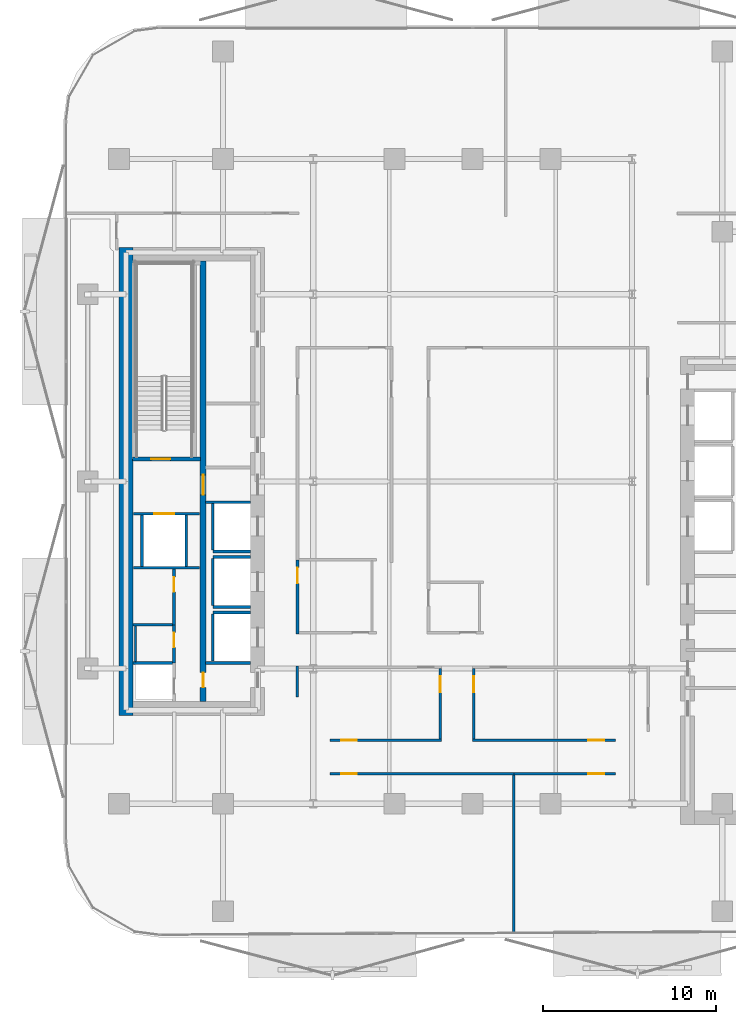
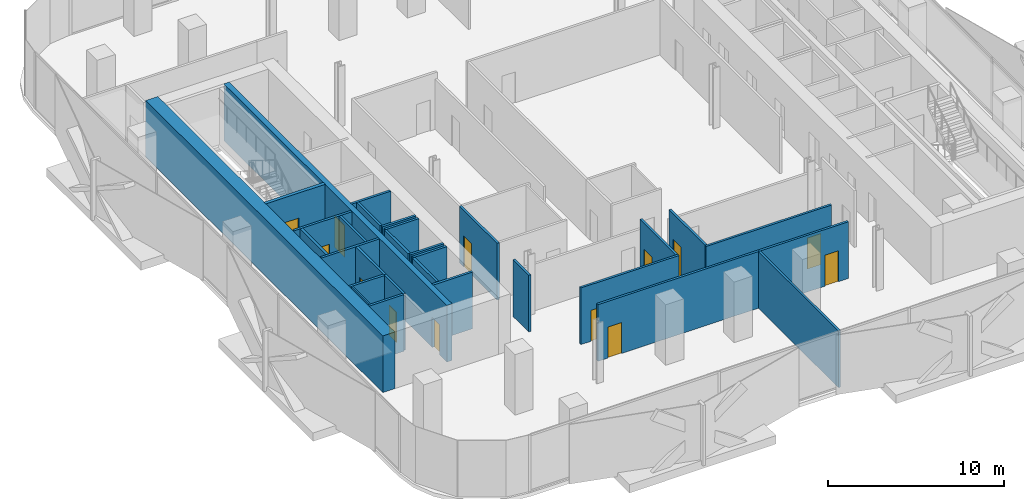
# One storey, part 3 of 16: 30 walls, 13 doors, 13 openings.
"""IFC4 building model written with IfcOpenShell, lengths in metres."""

from ifc_helpers import new_model, si_unit, direction, frame, frame_2d, origin, place, context, subcontext, project, spatial, rectangle, extrude, material, layer, layer_set, type_object, element, fill, save


model = new_model("IFC4")

# Units and contexts
model_context = context("Model", 3, precision=1e-05, world=origin(), true_north=direction((0.0, 1.0)))
body_context = subcontext(model_context, "Body", "Model", "MODEL_VIEW")
ifc_project = project(units=[si_unit("LENGTHUNIT", "METRE"), si_unit("AREAUNIT", "SQUARE_METRE"), si_unit("VOLUMEUNIT", "CUBIC_METRE"), si_unit("PLANEANGLEUNIT", "RADIAN"), si_unit("MASSUNIT", "GRAM", prefix="KILO")], contexts=[model_context])

# Site, building, storey
site_placement = place(None, origin())
site = spatial("IfcSite", under=ifc_project, at=site_placement, CompositionType="ELEMENT")
building_placement = place(site_placement, origin())
building = spatial("IfcBuilding", under=site, at=building_placement, Name="Khairoan Windgate Tower", CompositionType="ELEMENT")
storey_placement = place(building_placement, frame((0.0, 0.0, 97.39990234375)))
storey = spatial("IfcBuildingStorey", under=building, at=storey_placement, Name="L22", CompositionType="ELEMENT", Elevation=97.39990234375)

# Walls
ifc_material_1 = material(Name="Moisture-Resistant Gypsum Partition", Category="gypsum")
ifc_layer_1 = layer(ifc_material_1, 0.10009765625, Name="Moisture-Resistant Gypsum Partition")
ifc_layer_set_1 = layer_set([ifc_layer_1], Name="Moisture-Resistant Gypsum Partition")
wall_type_1 = type_object("IfcWallType", Name="Bathroom Wet-Area Partition Wall", PredefinedType="PARTITIONING", material=ifc_layer_set_1)
wall_1_placement = place(storey_placement, frame((-19.449951171875, -10.389892578125, 0.0), z_axis=(0.0, 0.0, 1.0), x_axis=(0.0, 1.0, 0.0)))
element("IfcWall", 1, at=wall_1_placement, inside=storey, type_object=wall_type_1, Name="L22 Wet Room Side Wall 046", PredefinedType="PARTITIONING", context=body_context, shape_type="SweptSolid", body=[
    extrude(rectangle(XDim=2.039794921875, YDim=0.10009765625, at=frame_2d((1.02001953125, 0.0))), origin(), (0.0, 0.0, 1.0), 3.940185546875),
])
ifc_material_2 = material(Name="Concrete C40/50", Category="concrete")
ifc_layer_2 = layer(ifc_material_2, 0.159912109375, Name="Concrete C40/50")
ifc_layer_set_2 = layer_set([ifc_layer_2], Name="Concrete C40/50")
wall_type_2 = type_object("IfcWallType", Name="Core and Hoistway Enclosure Wall", PredefinedType="STANDARD", material=ifc_layer_set_2)
wall_2_placement = place(storey_placement, frame((-14.989990234375, -4.0400390625, 0.0), z_axis=(0.0, 0.0, 1.0), x_axis=(1.0, 0.0, 0.0)))
element("IfcWall", 2, at=wall_2_placement, inside=storey, type_object=wall_type_2, Name="L22 Lift PL4 Hoistway Divider S", PredefinedType="STANDARD", context=body_context, shape_type="SweptSolid", body=[
    extrude(rectangle(XDim=2.18994140625, YDim=0.159912109375, at=frame_2d((1.094970703125, 0.0))), origin(), (0.0, 0.0, 1.0), 3.940185546875),
])
wall_3_placement = place(storey_placement, frame((-14.989990234375, -3.949951171875, 0.0), z_axis=(0.0, 0.0, 1.0), x_axis=(0.0, 1.0, 0.0)))
element("IfcWall", 3, at=wall_3_placement, inside=storey, type_object=wall_type_2, Name="L22 Lift PL4 Hoistway Back Wall", PredefinedType="STANDARD", context=body_context, shape_type="SweptSolid", body=[
    extrude(rectangle(XDim=2.699951171875, YDim=0.159912109375, at=frame_2d((1.35009765625, 0.0))), origin(), (0.0, 0.0, 1.0), 3.940185546875),
])
for number, where, z_axis, x_axis, name in (
    (4, (-14.989990234375, -7.239990234375, 0.0), (0.0, 0.0, 1.0), (1.0, 0.0, 0.0), "L22 Lift PL5 Hoistway Divider S"),
    (5, (-14.989990234375, -4.360107421875, 0.0), (0.0, 0.0, 1.0), (1.0, 0.0, 0.0), "L22 Lift PL5 Hoistway Divider N"),
):
    element("IfcWall", number, at=place(storey_placement, frame(where, z_axis=z_axis, x_axis=x_axis)), inside=storey, type_object=wall_type_2, Name=name, PredefinedType="STANDARD", context=body_context, shape_type="SweptSolid", body=[
        extrude(rectangle(XDim=2.18994140625, YDim=0.159912109375, at=frame_2d((1.094970703125, 0.0))), origin(), (0.0, 0.0, 1.0), 3.940185546875),
    ])
wall_4_placement = place(storey_placement, frame((-14.989990234375, -7.14990234375, 0.0), z_axis=(0.0, 0.0, 1.0), x_axis=(0.0, 1.0, 0.0)))
element("IfcWall", 6, at=wall_4_placement, inside=storey, type_object=wall_type_2, Name="L22 Lift PL5 Hoistway Back Wall", PredefinedType="STANDARD", context=body_context, shape_type="SweptSolid", body=[
    extrude(rectangle(XDim=2.699951171875, YDim=0.159912109375, at=frame_2d((1.35009765625, 0.0))), origin(), (0.0, 0.0, 1.0), 3.940185546875),
])
wall_5_placement = place(storey_placement, frame((-14.989990234375, -7.56005859375, 0.0), z_axis=(0.0, 0.0, 1.0), x_axis=(1.0, 0.0, 0.0)))
element("IfcWall", 7, at=wall_5_placement, inside=storey, type_object=wall_type_2, Name="L22 Lift PL6 Hoistway Divider N", PredefinedType="STANDARD", context=body_context, shape_type="SweptSolid", body=[
    extrude(rectangle(XDim=2.18994140625, YDim=0.159912109375, at=frame_2d((1.094970703125, 0.0))), origin(), (0.0, 0.0, 1.0), 3.940185546875),
])
wall_6_placement = place(storey_placement, frame((-14.989990234375, -10.35009765625, 0.0), z_axis=(0.0, 0.0, 1.0), x_axis=(0.0, 1.0, 0.0)))
element("IfcWall", 8, at=wall_6_placement, inside=storey, type_object=wall_type_2, Name="L22 Lift PL6 Hoistway Back Wall", PredefinedType="STANDARD", context=body_context, shape_type="SweptSolid", body=[
    extrude(rectangle(XDim=2.7001953125, YDim=0.159912109375, at=frame_2d((1.35009765625, 0.0))), origin(), (0.0, 0.0, 1.0), 3.940185546875),
])

# Wall, opening, door
wall_7_placement = place(storey_placement, frame((-19.550048828125, -1.860107421875, 0.0), z_axis=(0.0, 0.0, 1.0), x_axis=(1.0, 0.0, 0.0)))
wall_7 = element("IfcWall", 9, at=wall_7_placement, inside=storey, type_object=wall_type_2, Name="L22 Core Shaft Wall SW-FL2-L22", PredefinedType="STANDARD", context=body_context, shape_type="SweptSolid", body=[
    extrude(rectangle(XDim=3.800048828125, YDim=0.159912109375, at=frame_2d((1.89990234375, 0.0))), origin(), (0.0, 0.0, 1.0), 3.940185546875),
])
opening_1_placement = place(wall_7_placement, frame((1.179931640625, 0.0, 0.0)))
opening_1 = element("IfcOpeningElement", 10, at=opening_1_placement, cuts=wall_7, Name="Opening LD-FL", PredefinedType="OPENING", context=body_context, shape_type="SweptSolid", body=[
    extrude(rectangle(XDim=1.14990234375, YDim=2.199951171875, at=frame_2d((0.574951171875, 1.10009765625))), frame((0.0, 0.08984375, 0.0), z_axis=(0.0, -1.0, 0.0), x_axis=(1.0, 0.0, 0.0)), (0.0, 0.0, 1.0), 0.179931640625),
])
ifc_material_3 = material(Name="Steel S355", Category="steel")
door_type_1 = type_object("IfcDoorType", Name="Firefighting Lift Sliding Landing Door LD-FL 1150x2200", OperationType="DOUBLE_DOOR_SLIDING", PredefinedType="DOOR", material=ifc_material_3)
door_1_placement = place(opening_1_placement, origin())
door_1 = element("IfcDoor", 11, at=door_1_placement, inside=storey, type_object=door_type_1, Name="L22 Firefighting Lift FL2 Landing Door", OperationType="DOUBLE_DOOR_SLIDING", OverallHeight=2.199951171875, OverallWidth=1.14990234375, PredefinedType="DOOR", context=body_context, shape_type="SweptSolid", body=[
    extrude(rectangle(XDim=1.14990234375, YDim=2.199951171875, at=frame_2d((0.574951171875, 1.10009765625))), frame((0.0, 0.02490234375, 0.0), z_axis=(0.0, -1.0, 0.0), x_axis=(1.0, 0.0, 0.0)), (0.0, 0.0, 1.0), 0.050048828125),
])
fill(opening_1, door_1)

# Walls
wall_8_placement = place(storey_placement, frame((-19.550048828125, -4.97998046875, 0.0), z_axis=(0.0, 0.0, 1.0), x_axis=(1.0, 0.0, 0.0)))
element("IfcWall", 12, at=wall_8_placement, inside=storey, type_object=wall_type_2, Name="L22 Core Shaft Wall SW-FL2B-L22", PredefinedType="STANDARD", context=body_context, shape_type="SweptSolid", body=[
    extrude(rectangle(XDim=3.800048828125, YDim=0.159912109375, at=frame_2d((1.89990234375, 0.0))), origin(), (0.0, 0.0, 1.0), 3.940185546875),
])
for number, where, z_axis, x_axis, name in (
    (13, (-19.080078125, -4.89990234375, 0.0), (0.0, 0.0, 1.0), (0.0, 1.0, 0.0), "L22 Core Shaft Wall SW-FL2W-L22"),
    (14, (-16.52001953125, -4.89990234375, 0.0), (0.0, 0.0, 1.0), (0.0, 1.0, 0.0), "L22 Core Shaft Wall SW-FL2E-L22"),
):
    element("IfcWall", number, at=place(storey_placement, frame(where, z_axis=z_axis, x_axis=x_axis)), inside=storey, type_object=wall_type_2, Name=name, PredefinedType="STANDARD", context=body_context, shape_type="SweptSolid", body=[
        extrude(rectangle(XDim=2.9599609375, YDim=0.159912109375, at=frame_2d((1.47998046875, 0.0))), origin(), (0.0, 0.0, 1.0), 3.940185546875),
    ])
for number, where, z_axis, x_axis, name in (
    (15, (-15.39990234375, -1.199951171875, 0.0), (0.0, 0.0, 1.0), (1.0, 0.0, 0.0), "L22 Core Shaft Wall SW-WV2-L22"),
    (16, (-15.39990234375, -10.47998046875, 0.0), (0.0, 0.0, 1.0), (1.0, 0.0, 0.0), "L22 Core Shaft Wall SW-WSV-L22"),
):
    element("IfcWall", number, at=place(storey_placement, frame(where, z_axis=z_axis, x_axis=x_axis)), inside=storey, type_object=wall_type_2, Name=name, PredefinedType="STANDARD", context=body_context, shape_type="SweptSolid", body=[
        extrude(rectangle(XDim=2.599853515625, YDim=0.159912109375, at=frame_2d((1.2998046875, 0.0))), origin(), (0.0, 0.0, 1.0), 3.940185546875),
    ])
ifc_material_4 = material(Name="Acoustic Fire-Rated Gypsum Partition", Category="gypsum")
ifc_layer_3 = layer(ifc_material_4, 0.139892578125, Name="Acoustic Fire-Rated Gypsum Partition")
ifc_layer_set_3 = layer_set([ifc_layer_3], Name="Acoustic Fire-Rated Gypsum Partition")
wall_type_3 = type_object("IfcWallType", Name="Inter-Tenancy Compartment Wall", PredefinedType="PARTITIONING", material=ifc_layer_set_3)
wall_9_placement = place(storey_placement, frame((2.3798828125, -26.054931640625, 0.0), z_axis=(0.0, 0.0, 1.0), x_axis=(0.0, 1.0, 0.0)))
element("IfcWall", 17, at=wall_9_placement, inside=storey, type_object=wall_type_3, Name="L22 Interior Partition 043", PredefinedType="PARTITIONING", context=body_context, shape_type="SweptSolid", body=[
    extrude(rectangle(XDim=9.119873046875, YDim=0.139892578125, at=frame_2d((4.56005859375, 0.0))), origin(), (0.0, 0.0, 1.0), 3.940185546875),
])

# Wall, opening, door
ifc_material_5 = material(Name="Concrete C40/50", Category="concrete")
ifc_layer_4 = layer(ifc_material_5, 0.159912109375, Name="Concrete C40/50")
ifc_layer_set_4 = layer_set([ifc_layer_4], Name="Concrete C40/50")
wall_type_4 = type_object("IfcWallType", Name="Plant and Refuge Compartment Wall", PredefinedType="PARTITIONING", material=ifc_layer_set_4)
wall_10_placement = place(storey_placement, frame((-17.22998046875, -10.469970703125, 0.0), z_axis=(0.0, 0.0, 1.0), x_axis=(0.0, 1.0, 0.0)))
wall_10 = element("IfcWall", 18, at=wall_10_placement, inside=storey, type_object=wall_type_4, Name="L22 Interior Partition 002", PredefinedType="PARTITIONING", context=body_context, shape_type="SweptSolid", body=[
    extrude(rectangle(XDim=2.199951171875, YDim=0.159912109375, at=frame_2d((1.10009765625, 0.0))), origin(), (0.0, 0.0, 1.0), 3.940185546875),
])
opening_2_placement = place(wall_10_placement, frame((0.889892578125, 0.0, 0.0)))
opening_2 = element("IfcOpeningElement", 19, at=opening_2_placement, cuts=wall_10, Name="Opening FD-SRV", PredefinedType="OPENING", context=body_context, shape_type="SweptSolid", body=[
    extrude(rectangle(XDim=0.85009765625, YDim=2.10009765625, at=frame_2d((0.425048828125, 1.050048828125))), frame((0.0, 0.08984375, 0.0), z_axis=(0.0, -1.0, 0.0), x_axis=(1.0, 0.0, 0.0)), (0.0, 0.0, 1.0), 0.179931640625),
])
ifc_material_6 = material(Name="Steel S355", Category="steel")
door_type_2 = type_object("IfcDoorType", Name="Core Service and Riser Fire Door FD-SRV 850x2100", OperationType="NOTDEFINED", PredefinedType="DOOR", material=ifc_material_6)
door_2_placement = place(opening_2_placement, origin())
door_2 = element("IfcDoor", 20, at=door_2_placement, inside=storey, type_object=door_type_2, Name="L22 L22-04-L22-06 Door", OperationType="SINGLE_SWING_LEFT", OverallHeight=2.10009765625, OverallWidth=0.85009765625, PredefinedType="DOOR", context=body_context, shape_type="SweptSolid", body=[
    extrude(rectangle(XDim=0.85009765625, YDim=2.10009765625, at=frame_2d((0.425048828125, 1.050048828125))), frame((0.0, 0.02490234375, 0.0), z_axis=(0.0, -1.0, 0.0), x_axis=(1.0, 0.0, 0.0)), (0.0, 0.0, 1.0), 0.050048828125),
])
fill(opening_2, door_2)

wall_11_placement = place(storey_placement, frame((-17.22998046875, -8.27001953125, 0.0), z_axis=(0.0, 0.0, 1.0), x_axis=(0.0, 1.0, 0.0)))
wall_11 = element("IfcWall", 21, at=wall_11_placement, inside=storey, type_object=wall_type_4, Name="L22 Interior Partition 003", PredefinedType="PARTITIONING", context=body_context, shape_type="SweptSolid", body=[
    extrude(rectangle(XDim=3.2099609375, YDim=0.159912109375, at=frame_2d((1.60498046875, 0.0))), origin(), (0.0, 0.0, 1.0), 3.940185546875),
])
opening_3_placement = place(wall_11_placement, frame((1.89990234375, 0.0, 0.0)))
opening_3 = element("IfcOpeningElement", 22, at=opening_3_placement, cuts=wall_11, Name="Opening FD-SRV", PredefinedType="OPENING", context=body_context, shape_type="SweptSolid", body=[
    extrude(rectangle(XDim=0.85009765625, YDim=2.10009765625, at=frame_2d((0.425048828125, 1.050048828125))), frame((0.0, 0.08984375, 0.0), z_axis=(0.0, -1.0, 0.0), x_axis=(1.0, 0.0, 0.0)), (0.0, 0.0, 1.0), 0.179931640625),
])
door_3_placement = place(opening_3_placement, origin())
door_3 = element("IfcDoor", 23, at=door_3_placement, inside=storey, type_object=door_type_2, Name="L22 L22-04-L22-07 Door", OperationType="SINGLE_SWING_RIGHT", OverallHeight=2.10009765625, OverallWidth=0.85009765625, PredefinedType="DOOR", context=body_context, shape_type="SweptSolid", body=[
    extrude(rectangle(XDim=0.85009765625, YDim=2.10009765625, at=frame_2d((0.425048828125, 1.050048828125))), frame((0.0, 0.02490234375, 0.0), z_axis=(0.0, -1.0, 0.0), x_axis=(1.0, 0.0, 0.0)), (0.0, 0.0, 1.0), 0.050048828125),
])
fill(opening_3, door_3)

# Walls
for number, where, z_axis, x_axis, name in (
    (24, (-19.60009765625, -10.469970703125, 0.0), (0.0, 0.0, 1.0), (1.0, 0.0, 0.0), "L22 Interior Partition 004"),
    (25, (-19.60009765625, -8.27001953125, 0.0), (0.0, 0.0, 1.0), (1.0, 0.0, 0.0), "L22 Interior Partition 005"),
):
    element("IfcWall", number, at=place(storey_placement, frame(where, z_axis=z_axis, x_axis=x_axis)), inside=storey, type_object=wall_type_4, Name=name, PredefinedType="PARTITIONING", context=body_context, shape_type="SweptSolid", body=[
        extrude(rectangle(XDim=2.2900390625, YDim=0.159912109375, at=frame_2d((1.14501953125, 0.0))), origin(), (0.0, 0.0, 1.0), 3.940185546875),
    ])

# Wall, opening, door
ifc_material_7 = material(Name="Acoustic Fire-Rated Gypsum Partition", Category="gypsum")
ifc_layer_5 = layer(ifc_material_7, 0.14990234375, Name="Acoustic Fire-Rated Gypsum Partition")
ifc_layer_set_5 = layer_set([ifc_layer_5], Name="Acoustic Fire-Rated Gypsum Partition")
wall_type_5 = type_object("IfcWallType", Name="Rated Corridor Partition Wall", PredefinedType="PARTITIONING", material=ifc_layer_set_5)
wall_12_placement = place(storey_placement, frame((-10.10009765625, -8.794921875, 0.0), z_axis=(0.0, 0.0, 1.0), x_axis=(0.0, 1.0, 0.0)))
wall_12 = element("IfcWall", 26, at=wall_12_placement, inside=storey, type_object=wall_type_5, Name="L22 Interior Partition 015", PredefinedType="PARTITIONING", context=body_context, shape_type="SweptSolid", body=[
    extrude(rectangle(XDim=4.27490234375, YDim=0.14990234375, at=frame_2d((2.137451171875, 0.0))), origin(), (0.0, 0.0, 1.0), 3.940185546875),
])
opening_4_placement = place(wall_12_placement, frame((2.9150390625, 0.0, 0.0)))
opening_4 = element("IfcOpeningElement", 27, at=opening_4_placement, cuts=wall_12, Name="Opening FD-ENT", PredefinedType="OPENING", context=body_context, shape_type="SweptSolid", body=[
    extrude(rectangle(XDim=0.89990234375, YDim=2.14990234375, at=frame_2d((0.449951171875, 1.074951171875))), frame((0.0, 0.0849609375, 0.0), z_axis=(0.0, -1.0, 0.0), x_axis=(1.0, 0.0, 0.0)), (0.0, 0.0, 1.0), 0.169921875),
])
ifc_material_8 = material(Name="Timber Fire-Rated Core", Category="wood")
door_type_3 = type_object("IfcDoorType", Name="Unit and Office Fire Entrance Door FD-ENT 900x2150", OperationType="NOTDEFINED", PredefinedType="DOOR", material=ifc_material_8)
door_4_placement = place(opening_4_placement, origin())
door_4 = element("IfcDoor", 28, at=door_4_placement, inside=storey, type_object=door_type_3, Name="L22 L22-30-L22-48 Door", OperationType="SINGLE_SWING_LEFT", OverallHeight=2.14990234375, OverallWidth=0.89990234375, PredefinedType="DOOR", context=body_context, shape_type="SweptSolid", body=[
    extrude(rectangle(XDim=0.89990234375, YDim=2.14990234375, at=frame_2d((0.449951171875, 1.074951171875))), frame((0.0, 0.02490234375, 0.0), z_axis=(0.0, -1.0, 0.0), x_axis=(1.0, 0.0, 0.0)), (0.0, 0.0, 1.0), 0.050048828125),
])
fill(opening_4, door_4)

# Wall
wall_13_placement = place(storey_placement, frame((-10.125, -12.43994140625, 0.0), z_axis=(0.0, 0.0, 1.0), x_axis=(0.0, 1.0, 0.0)))
element("IfcWall", 29, at=wall_13_placement, inside=storey, type_object=wall_type_5, Name="L22 Interior Partition 017", PredefinedType="PARTITIONING", context=body_context, shape_type="SweptSolid", body=[
    extrude(rectangle(XDim=1.800048828125, YDim=0.14990234375, at=frame_2d((0.89990234375, 0.0))), origin(), (0.0, 0.0, 1.0), 3.940185546875),
])

# Wall, opening, door
wall_14_placement = place(storey_placement, frame((-8.239990234375, -16.860107421875, 0.0), z_axis=(0.0, 0.0, 1.0), x_axis=(1.0, 0.0, 0.0)))
wall_14 = element("IfcWall", 30, at=wall_14_placement, inside=storey, type_object=wall_type_5, Name="L22 Interior Partition 033", PredefinedType="PARTITIONING", context=body_context, shape_type="SweptSolid", body=[
    extrude(rectangle(XDim=10.619873046875, YDim=0.14990234375, at=frame_2d((5.31005859375, 0.0))), origin(), (0.0, 0.0, 1.0), 3.940185546875),
])
opening_5_placement = place(wall_14_placement, frame((0.664794921875, 0.0, 0.0)))
opening_5 = element("IfcOpeningElement", 31, at=opening_5_placement, cuts=wall_14, Name="Opening FD-ENT", PredefinedType="OPENING", context=body_context, shape_type="SweptSolid", body=[
    extrude(rectangle(XDim=0.89990234375, YDim=2.14990234375, at=frame_2d((0.449951171875, 1.074951171875))), frame((0.0, 0.0849609375, 0.0), z_axis=(0.0, -1.0, 0.0), x_axis=(1.0, 0.0, 0.0)), (0.0, 0.0, 1.0), 0.169921875),
])
door_5_placement = place(opening_5_placement, origin())
door_5 = element("IfcDoor", 32, at=door_5_placement, inside=storey, type_object=door_type_3, Name="L22 L22-37-L22-44 Door", OperationType="SINGLE_SWING_LEFT", OverallHeight=2.14990234375, OverallWidth=0.89990234375, PredefinedType="DOOR", context=body_context, shape_type="SweptSolid", body=[
    extrude(rectangle(XDim=0.89990234375, YDim=2.14990234375, at=frame_2d((0.449951171875, 1.074951171875))), frame((0.0, 0.02490234375, 0.0), z_axis=(0.0, -1.0, 0.0), x_axis=(1.0, 0.0, 0.0)), (0.0, 0.0, 1.0), 0.050048828125),
])
fill(opening_5, door_5)

wall_15_placement = place(storey_placement, frame((2.3798828125, -16.860107421875, 0.0), z_axis=(0.0, 0.0, 1.0), x_axis=(1.0, 0.0, 0.0)))
wall_15 = element("IfcWall", 33, at=wall_15_placement, inside=storey, type_object=wall_type_5, Name="L22 Interior Partition 034", PredefinedType="PARTITIONING", context=body_context, shape_type="SweptSolid", body=[
    extrude(rectangle(XDim=5.860107421875, YDim=0.14990234375, at=frame_2d((2.93017578125, 0.0))), origin(), (0.0, 0.0, 1.0), 3.940185546875),
])
opening_6_placement = place(wall_15_placement, frame((4.298095703125, 0.0, 0.0)))
opening_6 = element("IfcOpeningElement", 34, at=opening_6_placement, cuts=wall_15, Name="Opening FD-ENT", PredefinedType="OPENING", context=body_context, shape_type="SweptSolid", body=[
    extrude(rectangle(XDim=0.89990234375, YDim=2.14990234375, at=frame_2d((0.449951171875, 1.074951171875))), frame((0.0, 0.0849609375, 0.0), z_axis=(0.0, -1.0, 0.0), x_axis=(1.0, 0.0, 0.0)), (0.0, 0.0, 1.0), 0.169921875),
])
door_6_placement = place(opening_6_placement, origin())
door_6 = element("IfcDoor", 35, at=door_6_placement, inside=storey, type_object=door_type_3, Name="L22 L22-37-L22-45 Door", OperationType="SINGLE_SWING_RIGHT", OverallHeight=2.14990234375, OverallWidth=0.89990234375, PredefinedType="DOOR", context=body_context, shape_type="SweptSolid", body=[
    extrude(rectangle(XDim=0.89990234375, YDim=2.14990234375, at=frame_2d((0.449951171875, 1.074951171875))), frame((0.0, 0.02490234375, 0.0), z_axis=(0.0, -1.0, 0.0), x_axis=(1.0, 0.0, 0.0)), (0.0, 0.0, 1.0), 0.050048828125),
])
fill(opening_6, door_6)

wall_16_placement = place(storey_placement, frame((-8.239990234375, -14.93994140625, 0.0), z_axis=(0.0, 0.0, 1.0), x_axis=(1.0, 0.0, 0.0)))
wall_16 = element("IfcWall", 36, at=wall_16_placement, inside=storey, type_object=wall_type_5, Name="L22 Interior Partition 035", PredefinedType="PARTITIONING", context=body_context, shape_type="SweptSolid", body=[
    extrude(rectangle(XDim=6.455078125, YDim=0.14990234375, at=frame_2d((3.2275390625, 0.0))), origin(), (0.0, 0.0, 1.0), 3.940185546875),
])
opening_7_placement = place(wall_16_placement, frame((0.66162109375, 0.0, 0.0)))
opening_7 = element("IfcOpeningElement", 37, at=opening_7_placement, cuts=wall_16, Name="Opening FD-ENT", PredefinedType="OPENING", context=body_context, shape_type="SweptSolid", body=[
    extrude(rectangle(XDim=0.89990234375, YDim=2.14990234375, at=frame_2d((0.449951171875, 1.074951171875))), frame((0.0, 0.0849609375, 0.0), z_axis=(0.0, -1.0, 0.0), x_axis=(1.0, 0.0, 0.0)), (0.0, 0.0, 1.0), 0.169921875),
])
door_7_placement = place(opening_7_placement, origin())
door_7 = element("IfcDoor", 38, at=door_7_placement, inside=storey, type_object=door_type_3, Name="L22 L22-37-L22-50 Door", OperationType="SINGLE_SWING_LEFT", OverallHeight=2.14990234375, OverallWidth=0.89990234375, PredefinedType="DOOR", context=body_context, shape_type="SweptSolid", body=[
    extrude(rectangle(XDim=0.89990234375, YDim=2.14990234375, at=frame_2d((0.449951171875, 1.074951171875))), frame((0.0, 0.02490234375, 0.0), z_axis=(0.0, -1.0, 0.0), x_axis=(1.0, 0.0, 0.0)), (0.0, 0.0, 1.0), 0.050048828125),
])
fill(opening_7, door_7)

wall_17_placement = place(storey_placement, frame((-0.014892578125, -14.93994140625, 0.0), z_axis=(0.0, 0.0, 1.0), x_axis=(1.0, 0.0, 0.0)))
wall_17 = element("IfcWall", 39, at=wall_17_placement, inside=storey, type_object=wall_type_5, Name="L22 Interior Partition 036", PredefinedType="PARTITIONING", context=body_context, shape_type="SweptSolid", body=[
    extrude(rectangle(XDim=8.2548828125, YDim=0.14990234375, at=frame_2d((4.12744140625, 0.0))), origin(), (0.0, 0.0, 1.0), 3.940185546875),
])
opening_8_placement = place(wall_17_placement, frame((6.69384765625, 0.0, 0.0)))
opening_8 = element("IfcOpeningElement", 40, at=opening_8_placement, cuts=wall_17, Name="Opening FD-ENT", PredefinedType="OPENING", context=body_context, shape_type="SweptSolid", body=[
    extrude(rectangle(XDim=0.89990234375, YDim=2.14990234375, at=frame_2d((0.449951171875, 1.074951171875))), frame((0.0, 0.0849609375, 0.0), z_axis=(0.0, -1.0, 0.0), x_axis=(1.0, 0.0, 0.0)), (0.0, 0.0, 1.0), 0.169921875),
])
door_8_placement = place(opening_8_placement, origin())
door_8 = element("IfcDoor", 41, at=door_8_placement, inside=storey, type_object=door_type_3, Name="L22 L22-37-L22-51 Door", OperationType="SINGLE_SWING_RIGHT", OverallHeight=2.14990234375, OverallWidth=0.89990234375, PredefinedType="DOOR", context=body_context, shape_type="SweptSolid", body=[
    extrude(rectangle(XDim=0.89990234375, YDim=2.14990234375, at=frame_2d((0.449951171875, 1.074951171875))), frame((0.0, 0.02490234375, 0.0), z_axis=(0.0, -1.0, 0.0), x_axis=(1.0, 0.0, 0.0)), (0.0, 0.0, 1.0), 0.050048828125),
])
fill(opening_8, door_8)

wall_18_placement = place(storey_placement, frame((-1.860107421875, -14.864990234375, 0.0), z_axis=(0.0, 0.0, 1.0), x_axis=(0.0, 1.0, 0.0)))
wall_18 = element("IfcWall", 42, at=wall_18_placement, inside=storey, type_object=wall_type_5, Name="L22 Interior Partition 037", PredefinedType="PARTITIONING", context=body_context, shape_type="SweptSolid", body=[
    extrude(rectangle(XDim=4.074951171875, YDim=0.14990234375, at=frame_2d((2.03759765625, 0.0))), origin(), (0.0, 0.0, 1.0), 3.940185546875),
])
opening_9_placement = place(wall_18_placement, frame((2.715087890625, 0.0, 0.0)))
opening_9 = element("IfcOpeningElement", 43, at=opening_9_placement, cuts=wall_18, Name="Opening FD-ENT", PredefinedType="OPENING", context=body_context, shape_type="SweptSolid", body=[
    extrude(rectangle(XDim=0.89990234375, YDim=2.14990234375, at=frame_2d((0.449951171875, 1.074951171875))), frame((0.0, 0.0849609375, 0.0), z_axis=(0.0, -1.0, 0.0), x_axis=(1.0, 0.0, 0.0)), (0.0, 0.0, 1.0), 0.169921875),
])
door_9_placement = place(opening_9_placement, origin())
door_9 = element("IfcDoor", 44, at=door_9_placement, inside=storey, type_object=door_type_3, Name="L22 L22-38-L22-50 Door", OperationType="SINGLE_SWING_LEFT", OverallHeight=2.14990234375, OverallWidth=0.89990234375, PredefinedType="DOOR", context=body_context, shape_type="SweptSolid", body=[
    extrude(rectangle(XDim=0.89990234375, YDim=2.14990234375, at=frame_2d((0.449951171875, 1.074951171875))), frame((0.0, 0.02490234375, 0.0), z_axis=(0.0, -1.0, 0.0), x_axis=(1.0, 0.0, 0.0)), (0.0, 0.0, 1.0), 0.050048828125),
])
fill(opening_9, door_9)

wall_19_placement = place(storey_placement, frame((0.06005859375, -14.864990234375, 0.0), z_axis=(0.0, 0.0, 1.0), x_axis=(0.0, 1.0, 0.0)))
wall_19 = element("IfcWall", 45, at=wall_19_placement, inside=storey, type_object=wall_type_5, Name="L22 Interior Partition 038", PredefinedType="PARTITIONING", context=body_context, shape_type="SweptSolid", body=[
    extrude(rectangle(XDim=4.074951171875, YDim=0.14990234375, at=frame_2d((2.03759765625, 0.0))), origin(), (0.0, 0.0, 1.0), 3.940185546875),
])
opening_10_placement = place(wall_19_placement, frame((2.715087890625, 0.0, 0.0)))
opening_10 = element("IfcOpeningElement", 46, at=opening_10_placement, cuts=wall_19, Name="Opening FD-ENT", PredefinedType="OPENING", context=body_context, shape_type="SweptSolid", body=[
    extrude(rectangle(XDim=0.89990234375, YDim=2.14990234375, at=frame_2d((0.449951171875, 1.074951171875))), frame((0.0, 0.0849609375, 0.0), z_axis=(0.0, -1.0, 0.0), x_axis=(1.0, 0.0, 0.0)), (0.0, 0.0, 1.0), 0.169921875),
])
door_10_placement = place(opening_10_placement, origin())
door_10 = element("IfcDoor", 47, at=door_10_placement, inside=storey, type_object=door_type_3, Name="L22 L22-38-L22-51 Door", OperationType="SINGLE_SWING_RIGHT", OverallHeight=2.14990234375, OverallWidth=0.89990234375, PredefinedType="DOOR", context=body_context, shape_type="SweptSolid", body=[
    extrude(rectangle(XDim=0.89990234375, YDim=2.14990234375, at=frame_2d((0.449951171875, 1.074951171875))), frame((0.0, 0.02490234375, 0.0), z_axis=(0.0, -1.0, 0.0), x_axis=(1.0, 0.0, 0.0)), (0.0, 0.0, 1.0), 0.050048828125),
])
fill(opening_10, door_10)

# Wall
ifc_material_9 = material(Name="Concrete C70/85", Category="concrete")
ifc_layer_6 = layer(ifc_material_9, 0.800048828125, Name="Concrete C70/85")
ifc_layer_set_6 = layer_set([ifc_layer_6], Name="Concrete C70/85")
wall_type_6 = type_object("IfcWallType", Name="Shear Wall CW-W1 800mm", PredefinedType="SHEAR", material=ifc_layer_set_6)
wall_20_placement = place(storey_placement, frame((-20.0, -13.5, 0.0), z_axis=(0.0, 0.0, 1.0), x_axis=(0.0, 1.0, 0.0)))
element("IfcWall", 48, at=wall_20_placement, inside=storey, type_object=wall_type_6, Name="W Core West Shear Wall L22", PredefinedType="SHEAR", context=body_context, shape_type="SweptSolid", body=[
    extrude(rectangle(XDim=27.0, YDim=0.800048828125, at=frame_2d((13.5, 0.0))), origin(), (0.0, 0.0, 1.0), 3.940185546875),
])

# Wall, openings, doors
ifc_material_10 = material(Name="Concrete C60/75", Category="concrete")
ifc_layer_7 = layer(ifc_material_10, 0.35009765625, Name="Concrete C60/75")
ifc_layer_set_7 = layer_set([ifc_layer_7], Name="Concrete C60/75")
wall_type_7 = type_object("IfcWallType", Name="Shear Wall SW-1 350mm", PredefinedType="SHEAR", material=ifc_layer_set_7)
wall_21_placement = place(storey_placement, frame((-15.550048828125, -12.699951171875, 0.0), z_axis=(0.0, 0.0, 1.0), x_axis=(0.0, 1.0, 0.0)))
wall_21 = element("IfcWall", 49, at=wall_21_placement, inside=storey, type_object=wall_type_7, Name="W Core Spine Shear Wall L22", PredefinedType="SHEAR", context=body_context, shape_type="SweptSolid", body=[
    extrude(rectangle(XDim=25.39990234375, YDim=0.35009765625, at=frame_2d((12.699951171875, 0.0))), origin(), (0.0, 0.0, 1.0), 3.940185546875),
])
opening_11_placement = place(wall_21_placement, frame((11.925048828125, 0.0, 0.0)))
opening_11 = element("IfcOpeningElement", 50, at=opening_11_placement, cuts=wall_21, Name="Opening FD-FFL", PredefinedType="OPENING", context=body_context, shape_type="SweptSolid", body=[
    extrude(rectangle(XDim=1.14990234375, YDim=2.199951171875, at=frame_2d((0.574951171875, 1.10009765625))), frame((0.0, 0.18505859375, 0.0), z_axis=(0.0, -1.0, 0.0), x_axis=(1.0, 0.0, 0.0)), (0.0, 0.0, 1.0), 0.3701171875),
])
opening_12_placement = place(wall_21_placement, frame((0.824951171875, 0.0, 0.0)))
opening_12 = element("IfcOpeningElement", 51, at=opening_12_placement, cuts=wall_21, Name="Opening FD-SRV", PredefinedType="OPENING", context=body_context, shape_type="SweptSolid", body=[
    extrude(rectangle(XDim=0.85009765625, YDim=2.10009765625, at=frame_2d((0.425048828125, 1.050048828125))), frame((0.0, 0.18505859375, 0.0), z_axis=(0.0, -1.0, 0.0), x_axis=(1.0, 0.0, 0.0)), (0.0, 0.0, 1.0), 0.3701171875),
])
door_11_placement = place(opening_12_placement, origin())
door_11 = element("IfcDoor", 52, at=door_11_placement, inside=storey, type_object=door_type_2, Name="L22 West Core Service Passage Inner Door", OperationType="SINGLE_SWING_LEFT", OverallHeight=2.10009765625, OverallWidth=0.85009765625, PredefinedType="DOOR", context=body_context, shape_type="SweptSolid", body=[
    extrude(rectangle(XDim=0.85009765625, YDim=2.10009765625, at=frame_2d((0.425048828125, 1.050048828125))), frame((0.0, 0.02490234375, 0.0), z_axis=(0.0, -1.0, 0.0), x_axis=(1.0, 0.0, 0.0)), (0.0, 0.0, 1.0), 0.050048828125),
])
fill(opening_12, door_11)
ifc_material_11 = material(Name="Steel S355", Category="steel")
door_type_4 = type_object("IfcDoorType", Name="Firefighting Lobby Fire Door FD-FFL 1150x2200", OperationType="NOTDEFINED", PredefinedType="DOOR", material=ifc_material_11)
door_12_placement = place(opening_11_placement, origin())
door_12 = element("IfcDoor", 53, at=door_12_placement, inside=storey, type_object=door_type_4, Name="L22 West Firefighting Lobby Fire Door", OperationType="SINGLE_SWING_LEFT", OverallHeight=2.199951171875, OverallWidth=1.14990234375, PredefinedType="DOOR", context=body_context, shape_type="SweptSolid", body=[
    extrude(rectangle(XDim=1.14990234375, YDim=2.199951171875, at=frame_2d((0.574951171875, 1.10009765625))), frame((0.0, 0.02490234375, 0.0), z_axis=(0.0, -1.0, 0.0), x_axis=(1.0, 0.0, 0.0)), (0.0, 0.0, 1.0), 0.050048828125),
])
fill(opening_11, door_12)

# Wall, opening, door
ifc_material_12 = material(Name="Concrete C50/60", Category="concrete")
ifc_layer_8 = layer(ifc_material_12, 0.219970703125, Name="Concrete C50/60")
ifc_layer_set_8 = layer_set([ifc_layer_8], Name="Concrete C50/60")
wall_type_8 = type_object("IfcWallType", Name="Shear Wall SW-ST 220mm", PredefinedType="SHEAR", material=ifc_layer_set_8)
wall_22_placement = place(storey_placement, frame((-19.6201171875, 1.2900390625, 0.0), z_axis=(0.0, 0.0, 1.0), x_axis=(1.0, 0.0, 0.0)))
wall_22 = element("IfcWall", 54, at=wall_22_placement, inside=storey, type_object=wall_type_8, Name="L22 Stair ST2 South Bearing Wall", PredefinedType="SHEAR", context=body_context, shape_type="SweptSolid", body=[
    extrude(rectangle(XDim=3.9150390625, YDim=0.219970703125, at=frame_2d((1.95751953125, 0.0))), origin(), (0.0, 0.0, 1.0), 3.940185546875),
])
opening_13_placement = place(wall_22_placement, frame((1.080078125, 0.0, 0.0)))
opening_13 = element("IfcOpeningElement", 55, at=opening_13_placement, cuts=wall_22, Name="Opening FD-ST", PredefinedType="OPENING", context=body_context, shape_type="SweptSolid", body=[
    extrude(rectangle(XDim=1.10009765625, YDim=2.199951171875, at=frame_2d((0.550048828125, 1.10009765625))), frame((0.0, 0.119873046875, 0.0), z_axis=(0.0, -1.0, 0.0), x_axis=(1.0, 0.0, 0.0)), (0.0, 0.0, 1.0), 0.239990234375),
])
ifc_material_13 = material(Name="Steel S355", Category="steel")
door_type_5 = type_object("IfcDoorType", Name="Smokeproof Stair Fire Door FD-ST 1100x2200", OperationType="NOTDEFINED", PredefinedType="DOOR", material=ifc_material_13)
door_13_placement = place(opening_13_placement, origin())
door_13 = element("IfcDoor", 56, at=door_13_placement, inside=storey, type_object=door_type_5, Name="L22 Stair ST2 Fire Door", OperationType="SINGLE_SWING_RIGHT", OverallHeight=2.199951171875, OverallWidth=1.10009765625, PredefinedType="DOOR", context=body_context, shape_type="SweptSolid", body=[
    extrude(rectangle(XDim=1.10009765625, YDim=2.199951171875, at=frame_2d((0.550048828125, 1.10009765625))), frame((0.0, 0.02490234375, 0.0), z_axis=(0.0, -1.0, 0.0), x_axis=(1.0, 0.0, 0.0)), (0.0, 0.0, 1.0), 0.050048828125),
])
fill(opening_13, door_13)

save(model, "model.ifc")
